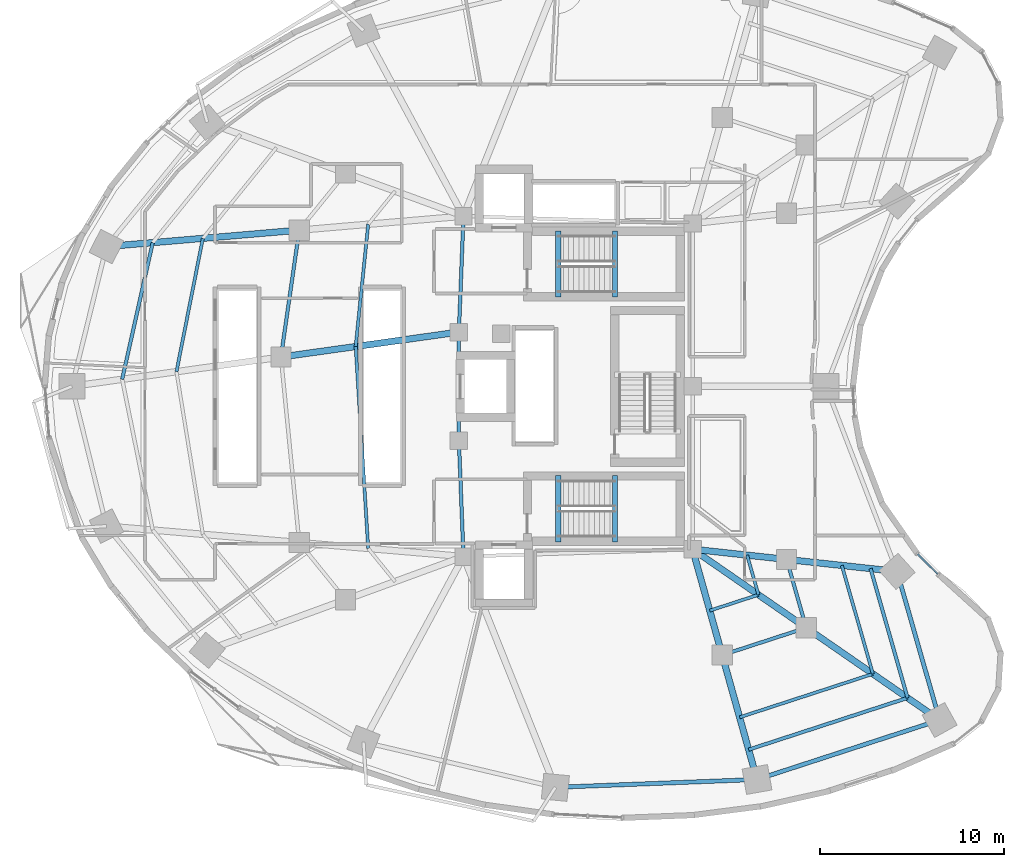
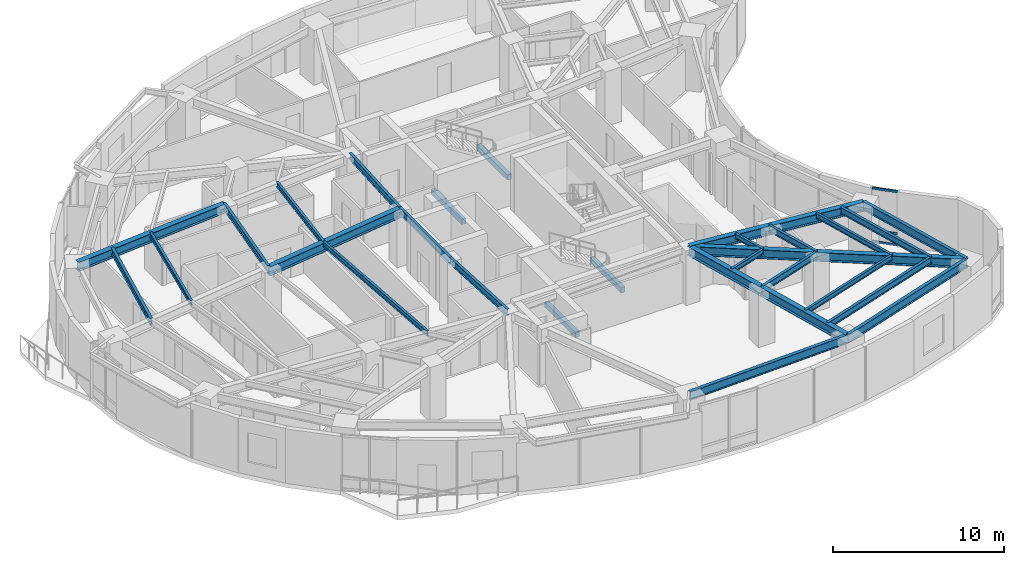
# One storey, part 3 of 15: 31 beams, 3 members, 1 element without a shape of its own.
"""IFC4 building model written with IfcOpenShell, lengths in metres."""

import ifcopenshell
import ifcopenshell.guid

model = None  # the IFC model being written
_history = None  # IfcOwnerHistory: only IFC2X3 demands one
_inside = {}  # id of a spatial element -> (the spatial element, [elements in it])
_under = {}  # id of a project, library or spatial element -> (it, [spatial elements below it])
_declared = {}  # id of a project -> (the project, [libraries it declares])
_typed = {}  # id of a type object -> (the type object, [elements of that type])
_made_of = {}  # id of a material, layer set ... -> (it, [elements and type objects made of it])


def new_model(schema):
    """Start an empty IFC model of exactly this schema.

    Asked for "IFC4X3", IfcOpenShell would pick the latest addendum, in which some entities
    have other attributes; the version numbers below select the first issue.
    IFC2X3 requires an IfcOwnerHistory on every rooted entity: one is made here for all.
    """
    global model, _history
    if schema == "IFC4X3":
        model = ifcopenshell.file(schema_version=(4, 3, 0, 0))
    else:
        model = ifcopenshell.file(schema=schema)
    _inside.clear()
    _under.clear()
    _declared.clear()
    _typed.clear()
    _made_of.clear()
    _history = None
    if model.schema == "IFC2X3":
        org = make("IfcOrganization", Name="unknown")
        user = make(
            "IfcPersonAndOrganization",
            ThePerson=make("IfcPerson", FamilyName="unknown"),
            TheOrganization=org,
        )
        app = make(
            "IfcApplication",
            ApplicationDeveloper=org,
            Version="unknown",
            ApplicationFullName="unknown",
            ApplicationIdentifier="unknown",
        )
        _history = make(
            "IfcOwnerHistory",
            OwningUser=user,
            OwningApplication=app,
            ChangeAction="ADDED",
            CreationDate=0,
        )
    return model


def make(cls, **values):
    """One entity of the class cls with the attributes given. An attribute that is None is left unset."""
    return model.create_entity(
        cls, **{name: value for name, value in values.items() if value is not None}
    )


def rooted(cls, **values):
    """An entity with a GlobalId (a new one), such as an element, a storey or a relation."""
    return make(cls, GlobalId=ifcopenshell.guid.new(), OwnerHistory=_history, **values)


def si_unit(unit_type, name, prefix=None):
    """IfcSIUnit, for example si_unit("LENGTHUNIT", "METRE", prefix="MILLI")."""
    return make("IfcSIUnit", UnitType=unit_type, Prefix=prefix, Name=name)


def assignment(units):
    """IfcUnitAssignment: the units of a project."""
    return None if units is None else make("IfcUnitAssignment", Units=units)


def point(xyz):
    """IfcCartesianPoint."""
    return None if xyz is None else make("IfcCartesianPoint", Coordinates=xyz)


def direction(xyz):
    """IfcDirection."""
    return None if xyz is None else make("IfcDirection", DirectionRatios=xyz)


def frame(location, z_axis=None, x_axis=None):
    """IfcAxis2Placement3D, a coordinate frame: its origin and axes. An axis left out is left unset."""
    return make(
        "IfcAxis2Placement3D",
        Location=point(location),
        Axis=direction(z_axis),
        RefDirection=direction(x_axis),
    )


def frame_2d(location, x_axis=None):
    """IfcAxis2Placement2D, a coordinate frame in the plane: its origin and x axis."""
    return make(
        "IfcAxis2Placement2D", Location=point(location), RefDirection=direction(x_axis)
    )


def origin():
    """The frame at (0, 0, 0) with its axes left unset."""
    return frame((0.0, 0.0, 0.0))


def origin_2d():
    """The frame at (0, 0) in the plane with its x axis left unset."""
    return frame_2d((0.0, 0.0))


def place(relative_to, where):
    """IfcLocalPlacement: puts the frame where relative to a parent placement (None: the world)."""
    return make(
        "IfcLocalPlacement", PlacementRelTo=relative_to, RelativePlacement=where
    )


def context(
    kind, dimensions, precision=None, world=None, true_north=None, identifier=None
):
    """IfcGeometricRepresentationContext, for example the 3D "Model" context."""
    return make(
        "IfcGeometricRepresentationContext",
        ContextIdentifier=identifier,
        ContextType=kind,
        CoordinateSpaceDimension=dimensions,
        Precision=precision,
        WorldCoordinateSystem=world,
        TrueNorth=true_north,
    )


def subcontext(parent, identifier, kind, view, scale=None):
    """IfcGeometricRepresentationSubContext, for example "Body" below "Model"."""
    return make(
        "IfcGeometricRepresentationSubContext",
        ContextIdentifier=identifier,
        ContextType=kind,
        ParentContext=parent,
        TargetScale=scale,
        TargetView=view,
    )


def project(units=None, contexts=None):
    """IfcProject with its units and contexts."""
    return rooted(
        "IfcProject",
        Name="project",
        RepresentationContexts=contexts,
        UnitsInContext=assignment(units),
    )


def spatial(cls, under=None, at=None, **own):
    """A site, building, storey or space (cls), placed at a placement, below another one or the project."""
    s = rooted(cls, ObjectPlacement=at, **own)
    if under is not None:
        _under.setdefault(under.id(), (under, []))[1].append(s)
    return s


def profile(cls, at=None, kind="AREA", **sizes):
    """A parametric profile (cls). Its sizes go by their IFC names, for example OverallWidth=200.0."""
    return make(cls, ProfileType=kind, Position=at, **sizes)


def rectangle(**sizes):
    """IfcRectangleProfileDef."""
    return profile("IfcRectangleProfileDef", **sizes)


def i_section(**sizes):
    """IfcIShapeProfileDef."""
    return profile("IfcIShapeProfileDef", **sizes)


def extrude(swept, where, along, depth):
    """IfcExtrudedAreaSolid: the profile swept, set in the frame where, extruded along a direction by depth."""
    return make(
        "IfcExtrudedAreaSolid",
        SweptArea=swept,
        Position=where,
        ExtrudedDirection=direction(along),
        Depth=depth,
    )


def shape(context_of_items, identifier, shape_type, items):
    """IfcShapeRepresentation: the items that make up one representation, for example the "Body"."""
    return make(
        "IfcShapeRepresentation",
        ContextOfItems=context_of_items,
        RepresentationIdentifier=identifier,
        RepresentationType=shape_type,
        Items=items,
    )


def material(Name=None, Category=None):
    """IfcMaterial."""
    return make("IfcMaterial", Name=Name, Category=Category)


def layer(
    of_material, thickness, ventilated=None, Name=None, Category=None, Priority=None
):
    """IfcMaterialLayer: one layer of a wall or slab, of a material (None: an air gap)."""
    return make(
        "IfcMaterialLayer",
        Material=of_material,
        LayerThickness=thickness,
        IsVentilated=ventilated,
        Name=Name,
        Category=Category,
        Priority=Priority,
    )


def layer_set(layers, Name=None):
    """IfcMaterialLayerSet."""
    return make("IfcMaterialLayerSet", MaterialLayers=layers, LayerSetName=Name)


def material_profile(
    of_material, cross_section, Name=None, Category=None, Priority=None
):
    """IfcMaterialProfile: a cross section and its material."""
    return make(
        "IfcMaterialProfile",
        Name=Name,
        Material=of_material,
        Profile=cross_section,
        Priority=Priority,
        Category=Category,
    )


def profile_set(profiles, Name=None, composite=None):
    """IfcMaterialProfileSet."""
    return make(
        "IfcMaterialProfileSet",
        Name=Name,
        MaterialProfiles=profiles,
        CompositeProfile=composite,
    )


def made_of(thing, what):
    """Note that an element or type object is made of a material, layer set ...; save() writes the relation."""
    if what is not None:
        _made_of.setdefault(what.id(), (what, []))[1].append(thing)
    return thing


def type_object(cls, material=None, **own):
    """A type object (cls), such as IfcWallType, which elements share."""
    return made_of(rooted(cls, **own), material)


def element(
    cls,
    number,
    at=None,
    inside=None,
    cuts=None,
    type_object=None,
    material=None,
    context=None,
    identifier="Body",
    shape_type=None,
    held_by="IfcProductDefinitionShape",
    body=None,
    shapes=None,
    **own,
):
    """One element of the class cls, such as IfcWall. Its Tag is "e" and its number.

    at: its placement. inside: the storey or other place that contains it. cuts: it is an
    opening in that element (IfcRelVoidsElement). A single representation is given by context,
    identifier, shape_type and body (its items); several are given by shapes. held_by: the class
    of the entity that holds the representations. save() writes the other relations.
    """
    e = rooted(cls, Tag="e%d" % number, ObjectPlacement=at, **own)
    if body is not None:
        shapes = [shape(context, identifier, shape_type, body)]
    if shapes is not None:
        e.Representation = make(held_by, Representations=shapes)
    if inside is not None:
        _inside.setdefault(inside.id(), (inside, []))[1].append(e)
    if cuts is not None:
        rooted(
            "IfcRelVoidsElement", RelatingBuildingElement=cuts, RelatedOpeningElement=e
        )
    if type_object is not None:
        _typed.setdefault(type_object.id(), (type_object, []))[1].append(e)
    return made_of(e, material)


def aggregate(whole, parts):
    """IfcRelAggregates: a whole, such as a stair, and the parts it consists of."""
    return rooted("IfcRelAggregates", RelatingObject=whole, RelatedObjects=parts)


def save(model, path):
    """Write the relations noted so far, then the file.

    IfcRelAggregates (storeys below a building ...), IfcRelContainedInSpatialStructure (elements
    in a storey), IfcRelDefinesByType, IfcRelAssociatesMaterial and IfcRelDeclares: one each for
    every whole, place, type object, material and project.
    """
    for whole, parts in _under.values():
        aggregate(whole, parts)
    for where, things in _inside.values():
        rooted(
            "IfcRelContainedInSpatialStructure",
            RelatedElements=things,
            RelatingStructure=where,
        )
    for kind, things in _typed.values():
        rooted("IfcRelDefinesByType", RelatedObjects=things, RelatingType=kind)
    for what, things in _made_of.values():
        rooted("IfcRelAssociatesMaterial", RelatedObjects=things, RelatingMaterial=what)
    for by, libraries in _declared.values():
        rooted("IfcRelDeclares", RelatingContext=by, RelatedDefinitions=libraries)
    model.write(path)


model = new_model("IFC4")

# Units and contexts
model_context = context("Model", 3, precision=1e-05, world=origin(), true_north=direction((0.0, 1.0)))
body_context = subcontext(model_context, "Body", "Model", "MODEL_VIEW")
ifc_project = project(units=[si_unit("LENGTHUNIT", "METRE"), si_unit("AREAUNIT", "SQUARE_METRE"), si_unit("VOLUMEUNIT", "CUBIC_METRE"), si_unit("PLANEANGLEUNIT", "RADIAN"), si_unit("MASSUNIT", "GRAM", prefix="KILO")], contexts=[model_context])

# Site, building, storey
site_placement = place(None, origin())
site = spatial("IfcSite", under=ifc_project, at=site_placement, CompositionType="ELEMENT")
building_placement = place(site_placement, origin())
building = spatial("IfcBuilding", under=site, at=building_placement, Name="Korentha Bioscience Tower", CompositionType="ELEMENT")
storey_placement = place(building_placement, frame((0.0, 0.0, 34.199951171875)))
storey = spatial("IfcBuildingStorey", under=building, at=storey_placement, Name="L07", CompositionType="ELEMENT", Elevation=34.199951171875)

# Beams
ifc_material_1 = material(Name="Concrete C50", Category="concrete")
ifc_material_profile_1 = material_profile(ifc_material_1, rectangle(XDim=0.280029296875, YDim=0.3798828125, at=origin_2d()), Name="Concrete C50")
ifc_profile_set_1 = profile_set([ifc_material_profile_1], Name="Concrete C50 (ST-HB380)")
beam_type_1 = type_object("IfcBeamType", Name="Concrete Stair Header Beam RC 280x380", PredefinedType="BEAM", material=ifc_profile_set_1)
for number, where, z_axis, x_axis, name in (
    (1, (30.25, 31.85009765625, -0.18994140625), (0.0, 1.0, 0.0), (-1.0, 0.0, 0.0), "L07 ST-1 Concrete Stair Header Beam"),
    (2, (33.330078125, 31.85009765625, 1.91015625), (0.0, 1.0, 0.0), (-1.0, 0.0, 0.0), "L07 ST-1 Half-Landing Header Beam 1"),
    (3, (30.25, 18.550048828125, -0.18994140625), (0.0, 1.0, 0.0), (-1.0, 0.0, 0.0), "L07 ST-2 Concrete Stair Header Beam"),
    (4, (33.330078125, 18.550048828125, 1.91015625), (0.0, 1.0, 0.0), (-1.0, 0.0, 0.0), "L07 ST-2 Half-Landing Header Beam 1"),
):
    element("IfcBeam", number, at=place(storey_placement, frame(where, z_axis=z_axis, x_axis=x_axis)), inside=storey, type_object=beam_type_1, Name=name, PredefinedType="BEAM", context=body_context, shape_type="SweptSolid", body=[
        extrude(rectangle(XDim=0.280029296875, YDim=0.3798828125, at=origin_2d()), origin(), (0.0, 0.0, 1.0), 3.599853515625),
    ])
ifc_material_2 = material(Name="Steel S355", Category="steel")
ifc_material_profile_2 = material_profile(ifc_material_2, i_section(OverallWidth=0.18994140625, OverallDepth=0.45703125, WebThickness=0.009033203125, FlangeThickness=0.014404296875, at=origin_2d()), Name="Steel S355")
ifc_profile_set_2 = profile_set([ifc_material_profile_2], Name="Steel S355 (MB-460)")
beam_type_2 = type_object("IfcBeamType", Name="Mid-Ring Tie Girder W460x74", PredefinedType="BEAM", material=ifc_profile_set_2)
beam_1_placement = place(storey_placement, frame((16.174072265625, 35.489013671875, 3.671630859375), z_axis=(-0.14286846228, -0.989741684727, 0.0), x_axis=(0.989741684727, -0.14286846228, 0.0)))
element("IfcBeam", 5, at=beam_1_placement, inside=storey, type_object=beam_type_2, Name="L07 Mid-Ring Tie Girder 06", PredefinedType="BEAM", context=body_context, shape_type="SweptSolid", body=[
    extrude(i_section(OverallWidth=0.18994140625, OverallDepth=0.45703125, WebThickness=0.009033203125, FlangeThickness=0.014404296875, at=origin_2d()), origin(), (0.0, 0.0, 1.0), 6.967041015625),
])
beam_2_placement = place(storey_placement, frame((39.1611328125, 12.392333984375, 3.671630859375), z_axis=(0.950877001105, 0.309568940253, 0.0), x_axis=(-0.309568940253, 0.950877001105, 0.0)))
element("IfcBeam", 6, at=beam_2_placement, inside=storey, type_object=beam_type_2, Name="L07 Mid-Ring Tie Girder 12", PredefinedType="BEAM", context=body_context, shape_type="SweptSolid", body=[
    extrude(i_section(OverallWidth=0.18994140625, OverallDepth=0.45703125, WebThickness=0.009033203125, FlangeThickness=0.014404296875, at=origin_2d()), origin(), (0.0, 0.0, 1.0), 4.80126953125),
])
beam_3_placement = place(storey_placement, frame((43.7265625, 13.878662109375, 3.671630859375), z_axis=(-0.27560557792, 0.961270807535, 0.0), x_axis=(-0.961270807535, -0.27560557792, 0.0)))
element("IfcBeam", 7, at=beam_3_placement, inside=storey, type_object=beam_type_2, Name="L07 Mid-Ring Tie Girder 13", PredefinedType="BEAM", context=body_context, shape_type="SweptSolid", body=[
    extrude(i_section(OverallWidth=0.18994140625, OverallDepth=0.45703125, WebThickness=0.009033203125, FlangeThickness=0.014404296875, at=origin_2d()), origin(), (0.0, 0.0, 1.0), 3.864013671875),
])
beam_4_placement = place(storey_placement, frame((25.10009765625, 36.25, 3.671630859375), z_axis=(-0.039651025576, -0.999213588864, 0.0), x_axis=(0.999213588864, -0.039651025576, 0.0)))
element("IfcBeam", 8, at=beam_4_placement, inside=storey, type_object=beam_type_2, Name="L07 Core Ring Tie Girder 02", PredefinedType="BEAM", context=body_context, shape_type="SweptSolid", body=[
    extrude(i_section(OverallWidth=0.18994140625, OverallDepth=0.45703125, WebThickness=0.009033203125, FlangeThickness=0.014404296875, at=origin_2d()), origin(), (0.0, 0.0, 1.0), 6.304931640625),
])
beam_5_placement = place(storey_placement, frame((24.85009765625, 29.949951171875, 3.671630859375), z_axis=(0.0, -1.0, 0.0), x_axis=(1.0, 0.0, 0.0)))
element("IfcBeam", 9, at=beam_5_placement, inside=storey, type_object=beam_type_2, Name="L07 Core Ring Tie Girder 03", PredefinedType="BEAM", context=body_context, shape_type="SweptSolid", body=[
    extrude(i_section(OverallWidth=0.18994140625, OverallDepth=0.45703125, WebThickness=0.009033203125, FlangeThickness=0.014404296875, at=origin_2d()), origin(), (0.0, 0.0, 1.0), 5.89990234375),
])
beam_6_placement = place(storey_placement, frame((24.85009765625, 24.050048828125, 3.671630859375), z_axis=(0.039651025576, -0.999213588864, 0.0), x_axis=(0.999213588864, 0.039651025576, 0.0)))
element("IfcBeam", 10, at=beam_6_placement, inside=storey, type_object=beam_type_2, Name="L07 Core Ring Tie Girder 04", PredefinedType="BEAM", context=body_context, shape_type="SweptSolid", body=[
    extrude(i_section(OverallWidth=0.18994140625, OverallDepth=0.45703125, WebThickness=0.009033203125, FlangeThickness=0.014404296875, at=origin_2d()), origin(), (0.0, 0.0, 1.0), 6.304931640625),
])
ifc_material_profile_3 = material_profile(ifc_material_2, i_section(OverallWidth=0.22802734375, OverallDepth=0.60791015625, WebThickness=0.01123046875, FlangeThickness=0.017333984375, at=origin_2d()), Name="Steel S355")
ifc_profile_set_3 = profile_set([ifc_material_profile_3], Name="Steel S355 (SB-610)")
beam_type_3 = type_object("IfcBeamType", Name="Perimeter Ring Spandrel Girder W610x113", PredefinedType="SPANDREL", material=ifc_profile_set_3)
beam_7_placement = place(storey_placement, frame((30.09423828125, 5.20751953125, 3.595947265625), z_axis=(0.999246003889, 0.03882555488, 0.0), x_axis=(-0.03882555488, 0.999246003889, 0.0)))
element("IfcBeam", 11, at=beam_7_placement, inside=storey, type_object=beam_type_3, Name="L07 Perimeter Spandrel Girder 11", PredefinedType="SPANDREL", context=body_context, shape_type="SweptSolid", body=[
    extrude(i_section(OverallWidth=0.22802734375, OverallDepth=0.60791015625, WebThickness=0.01123046875, FlangeThickness=0.017333984375, at=origin_2d()), origin(), (0.0, 0.0, 1.0), 10.966552734375),
])
beam_8_placement = place(storey_placement, frame((41.052490234375, 5.63330078125, 3.595947265625), z_axis=(0.95087511444, 0.309574735305, 0.0), x_axis=(-0.309574735305, 0.95087511444, 0.0)))
element("IfcBeam", 12, at=beam_8_placement, inside=storey, type_object=beam_type_3, Name="L07 Perimeter Spandrel Girder 12", PredefinedType="SPANDREL", context=body_context, shape_type="SweptSolid", body=[
    extrude(i_section(OverallWidth=0.22802734375, OverallDepth=0.60791015625, WebThickness=0.01123046875, FlangeThickness=0.017333984375, at=origin_2d()), origin(), (0.0, 0.0, 1.0), 10.4375),
])
beam_9_placement = place(storey_placement, frame((50.977294921875, 8.864501953125, 3.595947265625), z_axis=(-0.275642273411, 0.961260285827, 0.0), x_axis=(-0.961260285827, -0.275642273411, 0.0)))
element("IfcBeam", 13, at=beam_9_placement, inside=storey, type_object=beam_type_3, Name="L07 Perimeter Spandrel Girder 13", PredefinedType="SPANDREL", context=body_context, shape_type="SweptSolid", body=[
    extrude(i_section(OverallWidth=0.22802734375, OverallDepth=0.60791015625, WebThickness=0.01123046875, FlangeThickness=0.017333984375, at=origin_2d()), origin(), (0.0, 0.0, 1.0), 8.400146484375),
])
ifc_material_profile_4 = material_profile(ifc_material_2, i_section(OverallWidth=0.18994140625, OverallDepth=0.45703125, WebThickness=0.009033203125, FlangeThickness=0.014404296875, at=origin_2d()), Name="Steel S355")
ifc_profile_set_4 = profile_set([ifc_material_profile_4], Name="Steel S355 (RB-460)")
beam_type_4 = type_object("IfcBeamType", Name="Radial Laboratory Beam W460x74", PredefinedType="BEAM", material=ifc_profile_set_4)
beam_10_placement = place(storey_placement, frame((8.21044921875, 34.81005859375, 3.671630859375), z_axis=(-0.218146323162, -0.975916073077, 0.0), x_axis=(0.975916073077, -0.218146323162, 0.0)))
element("IfcBeam", 14, at=beam_10_placement, inside=storey, type_object=beam_type_4, Name="L07 Secondary Floor Beam JSTO-06", PredefinedType="BEAM", context=body_context, shape_type="SweptSolid", body=[
    extrude(i_section(OverallWidth=0.18994140625, OverallDepth=0.45703125, WebThickness=0.009033203125, FlangeThickness=0.014404296875, at=origin_2d()), origin(), (0.0, 0.0, 1.0), 7.6103515625),
])
beam_11_placement = place(storey_placement, frame((40.5986328125, 7.255615234375, 3.671630859375), z_axis=(0.95087437499, 0.309577006554, 0.0), x_axis=(-0.309577006554, 0.95087437499, 0.0)))
element("IfcBeam", 15, at=beam_11_placement, inside=storey, type_object=beam_type_4, Name="L07 Secondary Floor Beam JSTO-12", PredefinedType="BEAM", context=body_context, shape_type="SweptSolid", body=[
    extrude(i_section(OverallWidth=0.18994140625, OverallDepth=0.45703125, WebThickness=0.009033203125, FlangeThickness=0.014404296875, at=origin_2d()), origin(), (0.0, 0.0, 1.0), 9.0849609375),
])
beam_12_placement = place(storey_placement, frame((49.2373046875, 10.068115234375, 3.671630859375), z_axis=(-0.275682421415, 0.961248772443, 0.0), x_axis=(-0.961248772443, -0.275682421415, 0.0)))
element("IfcBeam", 16, at=beam_12_placement, inside=storey, type_object=beam_type_4, Name="L07 Secondary Floor Beam JSTO-13", PredefinedType="BEAM", context=body_context, shape_type="SweptSolid", body=[
    extrude(i_section(OverallWidth=0.18994140625, OverallDepth=0.45703125, WebThickness=0.009033203125, FlangeThickness=0.014404296875, at=origin_2d()), origin(), (0.0, 0.0, 1.0), 7.3115234375),
])
ifc_material_profile_5 = material_profile(ifc_material_2, i_section(OverallWidth=0.35009765625, OverallDepth=0.64990234375, WebThickness=0.01611328125, FlangeThickness=0.02490234375, at=origin_2d()), Name="Steel S355")
ifc_profile_set_5 = profile_set([ifc_material_profile_5], Name="Steel S355 (RB-650)")
beam_type_5 = type_object("IfcBeamType", Name="Radial Laboratory Girder CVS 650x208", PredefinedType="BEAM", material=ifc_profile_set_5)
beam_13_placement = place(storey_placement, frame((16.174072265625, 35.489013671875, 3.574951171875), z_axis=(-0.996385601055, -0.084945476695, 0.0), x_axis=(0.084945476695, -0.996385601055, 0.0)))
element("IfcBeam", 17, at=beam_13_placement, inside=storey, type_object=beam_type_5, Name="L07 Outer Radial Girder 06", PredefinedType="BEAM", context=body_context, shape_type="SweptSolid", body=[
    extrude(i_section(OverallWidth=0.35009765625, OverallDepth=0.64990234375, WebThickness=0.01611328125, FlangeThickness=0.02490234375, at=origin_2d()), origin(), (0.0, 0.0, 1.0), 10.516357421875),
])
beam_14_placement = place(storey_placement, frame((24.85009765625, 29.949951171875, 3.574951171875), z_axis=(-0.990307253072, -0.138894004596, 0.0), x_axis=(0.138894004596, -0.990307253072, 0.0)))
element("IfcBeam", 18, at=beam_14_placement, inside=storey, type_object=beam_type_5, Name="L07 Inner Radial Girder 07", PredefinedType="BEAM", context=body_context, shape_type="SweptSolid", body=[
    extrude(i_section(OverallWidth=0.35009765625, OverallDepth=0.64990234375, WebThickness=0.01611328125, FlangeThickness=0.02490234375, at=origin_2d()), origin(), (0.0, 0.0, 1.0), 9.76611328125),
])
beam_15_placement = place(storey_placement, frame((37.550048828125, 18.14990234375, 3.574951171875), z_axis=(0.269469369205, -0.963008961049, 0.0), x_axis=(0.963008961049, 0.269469369205, 0.0)))
element("IfcBeam", 19, at=beam_15_placement, inside=storey, type_object=beam_type_5, Name="L07 Inner Radial Girder 12", PredefinedType="BEAM", context=body_context, shape_type="SweptSolid", body=[
    extrude(i_section(OverallWidth=0.35009765625, OverallDepth=0.64990234375, WebThickness=0.01611328125, FlangeThickness=0.02490234375, at=origin_2d()), origin(), (0.0, 0.0, 1.0), 5.978759765625),
])
beam_16_placement = place(storey_placement, frame((39.1611328125, 12.392333984375, 3.574951171875), z_axis=(0.269475095129, -0.963007358801, 0.0), x_axis=(0.963007358801, 0.269475095129, 0.0)))
element("IfcBeam", 20, at=beam_16_placement, inside=storey, type_object=beam_type_5, Name="L07 Outer Radial Girder 12", PredefinedType="BEAM", context=body_context, shape_type="SweptSolid", body=[
    extrude(i_section(OverallWidth=0.35009765625, OverallDepth=0.64990234375, WebThickness=0.01611328125, FlangeThickness=0.02490234375, at=origin_2d()), origin(), (0.0, 0.0, 1.0), 7.0185546875),
])
beam_17_placement = place(storey_placement, frame((37.550048828125, 18.14990234375, 3.574951171875), z_axis=(0.822491697625, -0.568777115694, 0.0), x_axis=(0.568777115694, 0.822491697625, 0.0)))
element("IfcBeam", 21, at=beam_17_placement, inside=storey, type_object=beam_type_5, Name="L07 Inner Radial Girder 13", PredefinedType="BEAM", context=body_context, shape_type="SweptSolid", body=[
    extrude(i_section(OverallWidth=0.35009765625, OverallDepth=0.64990234375, WebThickness=0.01611328125, FlangeThickness=0.02490234375, at=origin_2d()), origin(), (0.0, 0.0, 1.0), 7.509521484375),
])
beam_18_placement = place(storey_placement, frame((43.7265625, 13.878662109375, 3.574951171875), z_axis=(0.822488186113, -0.568782193555, 0.0), x_axis=(0.568782193555, 0.822488186113, 0.0)))
element("IfcBeam", 22, at=beam_18_placement, inside=storey, type_object=beam_type_5, Name="L07 Outer Radial Girder 13", PredefinedType="BEAM", context=body_context, shape_type="SweptSolid", body=[
    extrude(i_section(OverallWidth=0.35009765625, OverallDepth=0.64990234375, WebThickness=0.01611328125, FlangeThickness=0.02490234375, at=origin_2d()), origin(), (0.0, 0.0, 1.0), 8.815673828125),
])
beam_19_placement = place(storey_placement, frame((37.550048828125, 18.14990234375, 3.574951171875), z_axis=(0.994117709144, -0.10830503389, 0.0), x_axis=(0.10830503389, 0.994117709144, 0.0)))
element("IfcBeam", 23, at=beam_19_placement, inside=storey, type_object=beam_type_5, Name="L07 Inner Radial Girder 14", PredefinedType="BEAM", context=body_context, shape_type="SweptSolid", body=[
    extrude(i_section(OverallWidth=0.35009765625, OverallDepth=0.64990234375, WebThickness=0.01611328125, FlangeThickness=0.02490234375, at=origin_2d()), origin(), (0.0, 0.0, 1.0), 5.141845703125),
])
beam_20_placement = place(storey_placement, frame((42.66162109375, 17.593017578125, 3.574951171875), z_axis=(0.994115805925, -0.108322501862, 0.0), x_axis=(0.108322501862, 0.994115805925, 0.0)))
element("IfcBeam", 24, at=beam_20_placement, inside=storey, type_object=beam_type_5, Name="L07 Outer Radial Girder 14", PredefinedType="BEAM", context=body_context, shape_type="SweptSolid", body=[
    extrude(i_section(OverallWidth=0.35009765625, OverallDepth=0.64990234375, WebThickness=0.01611328125, FlangeThickness=0.02490234375, at=origin_2d()), origin(), (0.0, 0.0, 1.0), 6.03564453125),
])
ifc_material_profile_6 = material_profile(ifc_material_2, i_section(OverallWidth=0.1708984375, OverallDepth=0.35498046875, WebThickness=0.007080078125, FlangeThickness=0.01171875, at=origin_2d()), Name="Steel S355")
ifc_profile_set_6 = profile_set([ifc_material_profile_6], Name="Steel S355 (JB-360)")
beam_type_6 = type_object("IfcBeamType", Name="Secondary Laboratory Joist W360x51", PredefinedType="JOIST", material=ifc_profile_set_6)
beam_21_placement = place(storey_placement, frame((10.934814453125, 35.042236328125, 3.72265625), z_axis=(-0.193979665978, -0.981005550029, 0.0), x_axis=(0.981005550029, -0.193979665978, 0.0)))
element("IfcBeam", 25, at=beam_21_placement, inside=storey, type_object=beam_type_6, Name="L07 Secondary Floor Beam JST-06", PredefinedType="JOIST", context=body_context, shape_type="SweptSolid", body=[
    extrude(i_section(OverallWidth=0.1708984375, OverallDepth=0.35498046875, WebThickness=0.007080078125, FlangeThickness=0.01171875, at=origin_2d()), origin(), (0.0, 0.0, 1.0), 7.385498046875),
])
beam_22_placement = place(storey_placement, frame((19.9228515625, 35.80859375, 3.72265625), z_axis=(-0.102144778597, -0.994769543264, 0.0), x_axis=(0.994769543264, -0.102144778597, 0.0)))
element("IfcBeam", 26, at=beam_22_placement, inside=storey, type_object=beam_type_6, Name="L07 Inner Bay Joist 06", PredefinedType="JOIST", context=body_context, shape_type="SweptSolid", body=[
    extrude(i_section(OverallWidth=0.1708984375, OverallDepth=0.35498046875, WebThickness=0.007080078125, FlangeThickness=0.01171875, at=origin_2d()), origin(), (0.0, 0.0, 1.0), 6.680419921875),
])
beam_23_placement = place(storey_placement, frame((19.240478515625, 29.1630859375, 3.72265625), z_axis=(0.062074098012, -0.998071543706, 0.0), x_axis=(0.998071543706, 0.062074098012, 0.0)))
element("IfcBeam", 27, at=beam_23_placement, inside=storey, type_object=beam_type_6, Name="L07 Inner Bay Joist 07", PredefinedType="JOIST", context=body_context, shape_type="SweptSolid", body=[
    extrude(i_section(OverallWidth=0.1708984375, OverallDepth=0.35498046875, WebThickness=0.007080078125, FlangeThickness=0.01171875, at=origin_2d()), origin(), (0.0, 0.0, 1.0), 10.992919921875),
])
beam_24_placement = place(storey_placement, frame((40.10693359375, 9.0126953125, 3.72265625), z_axis=(0.950870992772, 0.309587394938, 0.0), x_axis=(-0.309587394938, 0.950870992772, 0.0)))
element("IfcBeam", 28, at=beam_24_placement, inside=storey, type_object=beam_type_6, Name="L07 Secondary Floor Beam JST-12", PredefinedType="JOIST", context=body_context, shape_type="SweptSolid", body=[
    extrude(i_section(OverallWidth=0.1708984375, OverallDepth=0.35498046875, WebThickness=0.007080078125, FlangeThickness=0.01171875, at=origin_2d()), origin(), (0.0, 0.0, 1.0), 7.619384765625),
])
beam_25_placement = place(storey_placement, frame((38.484619140625, 14.810546875, 3.72265625), z_axis=(0.950869630746, 0.309591578254, 0.0), x_axis=(-0.309591578254, 0.950869630746, 0.0)))
element("IfcBeam", 29, at=beam_25_placement, inside=storey, type_object=beam_type_6, Name="L07 Inner Bay Joist 12", PredefinedType="JOIST", context=body_context, shape_type="SweptSolid", body=[
    extrude(i_section(OverallWidth=0.1708984375, OverallDepth=0.35498046875, WebThickness=0.007080078125, FlangeThickness=0.01171875, at=origin_2d()), origin(), (0.0, 0.0, 1.0), 2.784423828125),
])
beam_26_placement = place(storey_placement, frame((47.35205078125, 11.37158203125, 3.72265625), z_axis=(-0.275667500387, 0.96125305161, 0.0), x_axis=(-0.96125305161, -0.275667500387, 0.0)))
element("IfcBeam", 30, at=beam_26_placement, inside=storey, type_object=beam_type_6, Name="L07 Secondary Floor Beam JST-13", PredefinedType="JOIST", context=body_context, shape_type="SweptSolid", body=[
    extrude(i_section(OverallWidth=0.1708984375, OverallDepth=0.35498046875, WebThickness=0.007080078125, FlangeThickness=0.01171875, at=origin_2d()), origin(), (0.0, 0.0, 1.0), 6.132080078125),
])
beam_27_placement = place(storey_placement, frame((41.13232421875, 15.672607421875, 3.72265625), z_axis=(-0.275613067773, 0.961268660091, 0.0), x_axis=(-0.961268660091, -0.275613067773, 0.0)))
element("IfcBeam", 31, at=beam_27_placement, inside=storey, type_object=beam_type_6, Name="L07 Inner Bay Joist 13", PredefinedType="JOIST", context=body_context, shape_type="SweptSolid", body=[
    extrude(i_section(OverallWidth=0.1708984375, OverallDepth=0.35498046875, WebThickness=0.007080078125, FlangeThickness=0.01171875, at=origin_2d()), origin(), (0.0, 0.0, 1.0), 2.2412109375),
])

# Curtain wall, members
ifc_material_3 = material(Name="Thermally Broken Aluminium Frame", Category="aluminium")
ifc_layer = layer(ifc_material_3, 0.219970703125, Name="Thermally Broken Aluminium Frame")
ifc_layer_set = layer_set([ifc_layer], Name="Thermally Broken Aluminium Frame (CW-T1)")
curtain_wall_type = type_object("IfcCurtainWallType", Name="Standard Bioscience Lab Unitised Curtain Wall CW-T1", PredefinedType="USERDEFINED", material=ifc_layer_set)
curtain_wall_placement = place(storey_placement, origin())
curtain_wall = element("IfcCurtainWall", 32, at=curtain_wall_placement, inside=storey, type_object=curtain_wall_type, Name="L07 Curtain Wall 43", ObjectType="UNITISED", PredefinedType="USERDEFINED")
ifc_material_4 = material(Name="Anodised Aluminium 6063-T6", Category="aluminium")
ifc_material_profile_7 = material_profile(ifc_material_4, rectangle(XDim=0.090087890625, YDim=0.159912109375, at=origin_2d()), Name="Anodised Aluminium 6063-T6")
ifc_profile_set_7 = profile_set([ifc_material_profile_7], Name="Anodised Aluminium 6063-T6 (CW-TRN)")
member_type = type_object("IfcMemberType", Name="Transom RECT 90x160", PredefinedType="USERDEFINED", material=ifc_profile_set_7)
member_1_placement = place(storey_placement, frame((50.8818359375, 16.796875, 0.045166015625), z_axis=(-0.713350356322, 0.700807583531, 0.0), x_axis=(-0.700807583531, -0.713350356322, 0.0)))
member_1 = element("IfcMember", 33, at=member_1_placement, type_object=member_type, Name="CW-L07-43 Bay 1 Transom 1", ObjectType="TRANSOM", PredefinedType="USERDEFINED", context=body_context, shape_type="SweptSolid", body=[
    extrude(rectangle(XDim=0.090087890625, YDim=0.159912109375, at=origin_2d()), origin(), (0.0, 0.0, 1.0), 1.53759765625),
])
member_2_placement = place(storey_placement, frame((50.8818359375, 16.796875, 0.85009765625), z_axis=(-0.713350356322, 0.700807583531, 0.0), x_axis=(-0.700807583531, -0.713350356322, 0.0)))
member_2 = element("IfcMember", 34, at=member_2_placement, type_object=member_type, Name="CW-L07-43 Bay 1 Transom 2", ObjectType="TRANSOM", PredefinedType="USERDEFINED", context=body_context, shape_type="SweptSolid", body=[
    extrude(rectangle(XDim=0.090087890625, YDim=0.159912109375, at=origin_2d()), origin(), (0.0, 0.0, 1.0), 1.53759765625),
])
member_3_placement = place(storey_placement, frame((50.8818359375, 16.796875, 3.85498046875), z_axis=(-0.713350356322, 0.700807583531, 0.0), x_axis=(-0.700807583531, -0.713350356322, 0.0)))
member_3 = element("IfcMember", 35, at=member_3_placement, type_object=member_type, Name="CW-L07-43 Bay 1 Transom 3", ObjectType="TRANSOM", PredefinedType="USERDEFINED", context=body_context, shape_type="SweptSolid", body=[
    extrude(rectangle(XDim=0.090087890625, YDim=0.159912109375, at=origin_2d()), origin(), (0.0, 0.0, 1.0), 1.53759765625),
])
aggregate(curtain_wall, [member_1, member_2, member_3])

save(model, "model.ifc")
